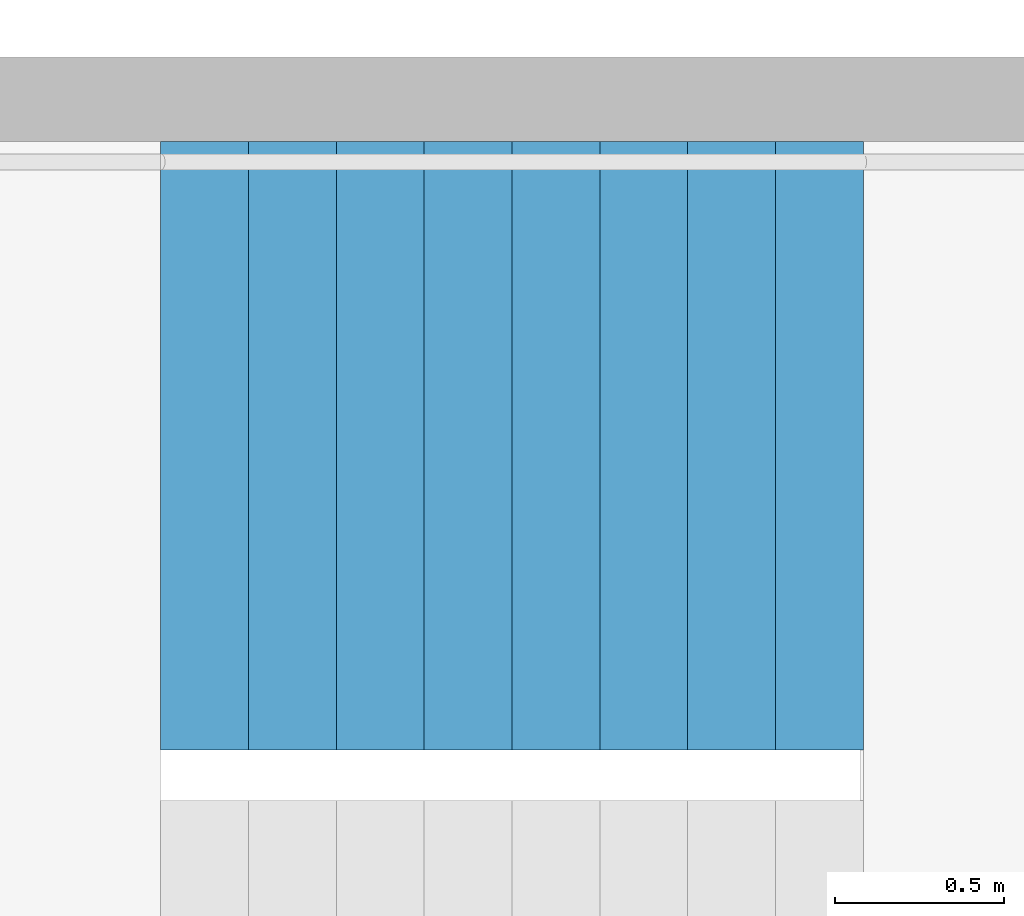
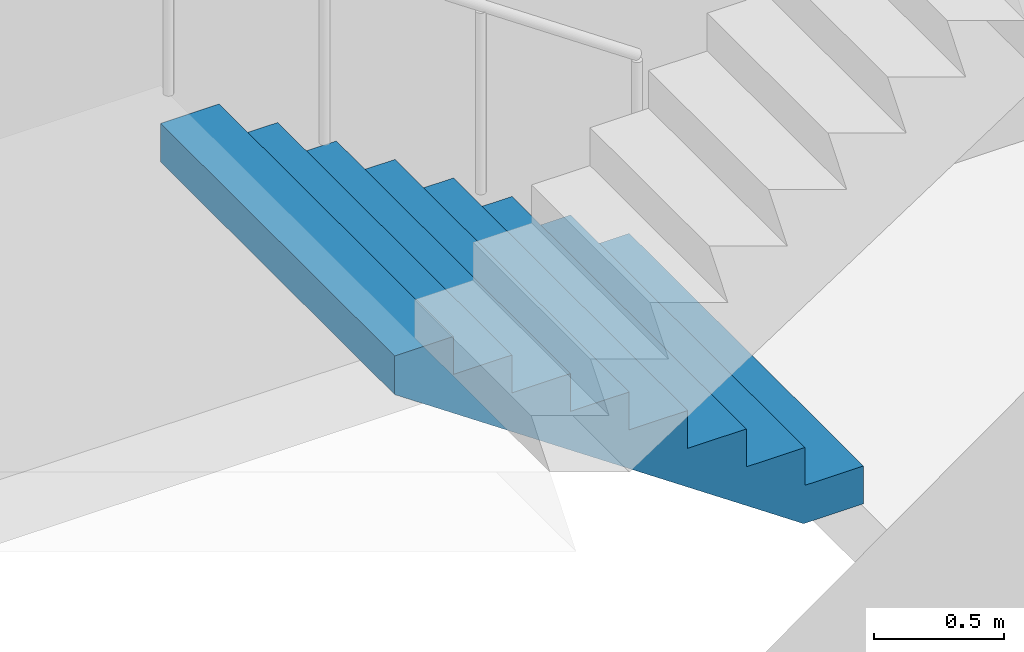
# One storey, part 17 of 41: 1 stair flight, 1 element without a shape of its own.
"""IFC4 building model written with IfcOpenShell, lengths in metres."""

from ifc_helpers import new_model, si_unit, direction, frame, origin, place, context, subcontext, project, spatial, triangles, material, type_object, element, aggregate, save


model = new_model("IFC4")

# Units and contexts
model_context = context("Model", 3, precision=1e-05, world=origin(), true_north=direction((0.0, 1.0)))
body_context = subcontext(model_context, "Body", "Model", "MODEL_VIEW")
ifc_project = project(units=[si_unit("LENGTHUNIT", "METRE"), si_unit("AREAUNIT", "SQUARE_METRE"), si_unit("VOLUMEUNIT", "CUBIC_METRE"), si_unit("PLANEANGLEUNIT", "RADIAN"), si_unit("MASSUNIT", "GRAM", prefix="KILO")], contexts=[model_context])

# Site, building, storey
site_placement = place(None, origin())
site = spatial("IfcSite", under=ifc_project, at=site_placement, CompositionType="ELEMENT")
building_placement = place(site_placement, origin())
building = spatial("IfcBuilding", under=site, at=building_placement, Name="Hakoniwa Tower and Hamabe Station Hall", CompositionType="ELEMENT")
storey_placement = place(building_placement, frame((0.0, 0.0, 180.199951171875)))
storey = spatial("IfcBuildingStorey", under=building, at=storey_placement, Name="L51", CompositionType="ELEMENT", Elevation=180.199951171875)

# Stair, stair flight
ifc_material_1 = material(Name="Concrete C40", Category="concrete")
stair_type = type_object("IfcStairType", Name="ESCAPE STAIR 1800", PredefinedType="HALF_TURN_STAIR", material=ifc_material_1)
stair_placement = place(storey_placement, origin())
stair = element("IfcStair", 1, at=stair_placement, inside=storey, type_object=stair_type, Name="Escape stair ST-2 L51", PredefinedType="HALF_TURN_STAIR")
ifc_material_2 = material(Name="Concrete C40", Category="concrete")
stair_flight_type = type_object("IfcStairFlightType", Name="STAIR FLIGHT 1800", PredefinedType="STRAIGHT", material=ifc_material_2)
stair_flight_placement = place(storey_placement, frame((-23.39990234375, -4.64990234375, 0.0), z_axis=(0.0, 0.0, 1.0), x_axis=(-1.0, 0.0, 0.0)))
stair_flight = element("IfcStairFlight", 2, at=stair_flight_placement, type_object=stair_flight_type, Name="ST-2 flight 1", NumberOfRisers=9, NumberOfTreads=8, PredefinedType="STRAIGHT", RiserHeight=0.177777778, TreadLength=0.26, context=body_context, shape_type="Tessellation", body=[
    triangles([(0.0, 0.89990234375, 0.0), (0.260009765625, 0.89990234375, 0.0), (0.265625, 0.89990234375, 0.0), (0.52001953125, 0.89990234375, 0.174072265625), (0.780029296875, 0.89990234375, 0.351806640625), (1.0400390625, 0.89990234375, 0.529541015625), (1.300048828125, 0.89990234375, 0.707275390625), (1.56005859375, 0.89990234375, 0.885009765625), (1.820068359375, 0.89990234375, 1.062744140625), (2.080078125, 0.89990234375, 1.24072265625), (2.080078125, 0.89990234375, 1.422119140625), (1.820068359375, 0.89990234375, 1.422119140625), (1.820068359375, 0.89990234375, 1.244384765625), (1.56005859375, 0.89990234375, 1.244384765625), (1.56005859375, 0.89990234375, 1.066650390625), (1.300048828125, 0.89990234375, 1.066650390625), (1.300048828125, 0.89990234375, 0.888916015625), (1.0400390625, 0.89990234375, 0.888916015625), (1.0400390625, 0.89990234375, 0.711181640625), (0.780029296875, 0.89990234375, 0.711181640625), (0.780029296875, 0.89990234375, 0.533447265625), (0.52001953125, 0.89990234375, 0.533447265625), (0.52001953125, 0.89990234375, 0.35546875), (0.265625, 0.89990234375, 0.35546875), (0.260009765625, 0.89990234375, 0.35546875), (0.260009765625, 0.89990234375, 0.177734375), (0.0, 0.89990234375, 0.177734375), (0.0, 0.06005859375, 0.0), (0.260009765625, 0.06005859375, 0.0), (0.265625, 0.06005859375, 0.0), (0.52001953125, 0.06005859375, 0.174072265625), (0.780029296875, 0.06005859375, 0.351806640625), (1.0400390625, 0.06005859375, 0.529541015625), (1.300048828125, 0.06005859375, 0.707275390625), (1.56005859375, 0.06005859375, 0.885009765625), (1.820068359375, 0.06005859375, 1.062744140625), (2.080078125, 0.06005859375, 1.24072265625), (2.080078125, 0.06005859375, 1.422119140625), (1.820068359375, 0.06005859375, 1.422119140625), (1.820068359375, 0.06005859375, 1.244384765625), (1.56005859375, 0.06005859375, 1.244384765625), (1.56005859375, 0.06005859375, 1.066650390625), (1.300048828125, 0.06005859375, 1.066650390625), (1.300048828125, 0.06005859375, 0.888916015625), (1.0400390625, 0.06005859375, 0.888916015625), (1.0400390625, 0.06005859375, 0.711181640625), (0.780029296875, 0.06005859375, 0.711181640625), (0.780029296875, 0.06005859375, 0.533447265625), (0.52001953125, 0.06005859375, 0.533447265625), (0.52001953125, 0.06005859375, 0.35546875), (0.265625, 0.06005859375, 0.35546875), (0.260009765625, 0.06005859375, 0.35546875), (0.260009765625, 0.06005859375, 0.177734375), (0.0, 0.06005859375, 0.177734375), (0.0, 0.04296875, 0.0), (0.260009765625, 0.04296875, 0.0), (0.265625, 0.04296875, 0.0), (0.52001953125, 0.04296875, 0.174072265625), (0.780029296875, 0.04296875, 0.351806640625), (1.0400390625, 0.04296875, 0.529541015625), (1.300048828125, 0.04296875, 0.707275390625), (1.56005859375, 0.04296875, 0.885009765625), (1.820068359375, 0.04296875, 1.062744140625), (2.080078125, 0.04296875, 1.24072265625), (2.080078125, 0.04296875, 1.422119140625), (1.820068359375, 0.04296875, 1.422119140625), (1.820068359375, 0.04296875, 1.244384765625), (1.56005859375, 0.04296875, 1.244384765625), (1.56005859375, 0.04296875, 1.066650390625), (1.300048828125, 0.04296875, 1.066650390625), (1.300048828125, 0.04296875, 0.888916015625), (1.0400390625, 0.04296875, 0.888916015625), (1.0400390625, 0.04296875, 0.711181640625), (0.780029296875, 0.04296875, 0.711181640625), (0.780029296875, 0.04296875, 0.533447265625), (0.52001953125, 0.04296875, 0.533447265625), (0.52001953125, 0.04296875, 0.35546875), (0.265625, 0.04296875, 0.35546875), (0.260009765625, 0.04296875, 0.35546875), (0.260009765625, 0.04296875, 0.177734375), (0.0, 0.04296875, 0.177734375), (0.0, 0.025634765625, 0.0), (0.260009765625, 0.025634765625, 0.0), (0.265625, 0.025634765625, 0.0), (0.52001953125, 0.025634765625, 0.174072265625), (0.780029296875, 0.025634765625, 0.351806640625), (1.0400390625, 0.025634765625, 0.529541015625), (1.300048828125, 0.025634765625, 0.707275390625), (1.56005859375, 0.025634765625, 0.885009765625), (1.820068359375, 0.025634765625, 1.062744140625), (2.080078125, 0.025634765625, 1.24072265625), (2.080078125, 0.025634765625, 1.422119140625), (1.820068359375, 0.025634765625, 1.422119140625), (1.820068359375, 0.025634765625, 1.244384765625), (1.56005859375, 0.025634765625, 1.244384765625), (1.56005859375, 0.025634765625, 1.066650390625), (1.300048828125, 0.025634765625, 1.066650390625), (1.300048828125, 0.025634765625, 0.888916015625), (1.0400390625, 0.025634765625, 0.888916015625), (1.0400390625, 0.025634765625, 0.711181640625), (0.780029296875, 0.025634765625, 0.711181640625), (0.780029296875, 0.025634765625, 0.533447265625), (0.52001953125, 0.025634765625, 0.533447265625), (0.52001953125, 0.025634765625, 0.35546875), (0.265625, 0.025634765625, 0.35546875), (0.260009765625, 0.025634765625, 0.35546875), (0.260009765625, 0.025634765625, 0.177734375), (0.0, 0.025634765625, 0.177734375), (0.0, 0.008544921875, 0.0), (0.260009765625, 0.008544921875, 0.0), (0.265625, 0.008544921875, 0.0), (0.52001953125, 0.008544921875, 0.174072265625), (0.780029296875, 0.008544921875, 0.351806640625), (1.0400390625, 0.008544921875, 0.529541015625), (1.300048828125, 0.008544921875, 0.707275390625), (1.56005859375, 0.008544921875, 0.885009765625), (1.820068359375, 0.008544921875, 1.062744140625), (2.080078125, 0.008544921875, 1.24072265625), (2.080078125, 0.008544921875, 1.422119140625), (1.820068359375, 0.008544921875, 1.422119140625), (1.820068359375, 0.008544921875, 1.244384765625), (1.56005859375, 0.008544921875, 1.244384765625), (1.56005859375, 0.008544921875, 1.066650390625), (1.300048828125, 0.008544921875, 1.066650390625), (1.300048828125, 0.008544921875, 0.888916015625), (1.0400390625, 0.008544921875, 0.888916015625), (1.0400390625, 0.008544921875, 0.711181640625), (0.780029296875, 0.008544921875, 0.711181640625), (0.780029296875, 0.008544921875, 0.533447265625), (0.52001953125, 0.008544921875, 0.533447265625), (0.52001953125, 0.008544921875, 0.35546875), (0.265625, 0.008544921875, 0.35546875), (0.260009765625, 0.008544921875, 0.35546875), (0.260009765625, 0.008544921875, 0.177734375), (0.0, 0.008544921875, 0.177734375), (0.0, -0.008544921875, 0.0), (0.260009765625, -0.008544921875, 0.0), (0.265625, -0.008544921875, 0.0), (0.52001953125, -0.008544921875, 0.174072265625), (0.780029296875, -0.008544921875, 0.351806640625), (1.0400390625, -0.008544921875, 0.529541015625), (1.300048828125, -0.008544921875, 0.707275390625), (1.56005859375, -0.008544921875, 0.885009765625), (1.820068359375, -0.008544921875, 1.062744140625), (2.080078125, -0.008544921875, 1.24072265625), (2.080078125, -0.008544921875, 1.422119140625), (1.820068359375, -0.008544921875, 1.422119140625), (1.820068359375, -0.008544921875, 1.244384765625), (1.56005859375, -0.008544921875, 1.244384765625), (1.56005859375, -0.008544921875, 1.066650390625), (1.300048828125, -0.008544921875, 1.066650390625), (1.300048828125, -0.008544921875, 0.888916015625), (1.0400390625, -0.008544921875, 0.888916015625), (1.0400390625, -0.008544921875, 0.711181640625), (0.780029296875, -0.008544921875, 0.711181640625), (0.780029296875, -0.008544921875, 0.533447265625), (0.52001953125, -0.008544921875, 0.533447265625), (0.52001953125, -0.008544921875, 0.35546875), (0.265625, -0.008544921875, 0.35546875), (0.260009765625, -0.008544921875, 0.35546875), (0.260009765625, -0.008544921875, 0.177734375), (0.0, -0.008544921875, 0.177734375), (0.0, -0.025634765625, 0.0), (0.260009765625, -0.025634765625, 0.0), (0.265625, -0.025634765625, 0.0), (0.52001953125, -0.025634765625, 0.174072265625), (0.780029296875, -0.025634765625, 0.351806640625), (1.0400390625, -0.025634765625, 0.529541015625), (1.300048828125, -0.025634765625, 0.707275390625), (1.56005859375, -0.025634765625, 0.885009765625), (1.820068359375, -0.025634765625, 1.062744140625), (2.080078125, -0.025634765625, 1.24072265625), (2.080078125, -0.025634765625, 1.422119140625), (1.820068359375, -0.025634765625, 1.422119140625), (1.820068359375, -0.025634765625, 1.244384765625), (1.56005859375, -0.025634765625, 1.244384765625), (1.56005859375, -0.025634765625, 1.066650390625), (1.300048828125, -0.025634765625, 1.066650390625), (1.300048828125, -0.025634765625, 0.888916015625), (1.0400390625, -0.025634765625, 0.888916015625), (1.0400390625, -0.025634765625, 0.711181640625), (0.780029296875, -0.025634765625, 0.711181640625), (0.780029296875, -0.025634765625, 0.533447265625), (0.52001953125, -0.025634765625, 0.533447265625), (0.52001953125, -0.025634765625, 0.35546875), (0.265625, -0.025634765625, 0.35546875), (0.260009765625, -0.025634765625, 0.35546875), (0.260009765625, -0.025634765625, 0.177734375), (0.0, -0.025634765625, 0.177734375), (0.0, -0.04296875, 0.0), (0.260009765625, -0.04296875, 0.0), (0.265625, -0.04296875, 0.0), (0.52001953125, -0.04296875, 0.174072265625), (0.780029296875, -0.04296875, 0.351806640625), (1.0400390625, -0.04296875, 0.529541015625), (1.300048828125, -0.04296875, 0.707275390625), (1.56005859375, -0.04296875, 0.885009765625), (1.820068359375, -0.04296875, 1.062744140625), (2.080078125, -0.04296875, 1.24072265625), (2.080078125, -0.04296875, 1.422119140625), (1.820068359375, -0.04296875, 1.422119140625), (1.820068359375, -0.04296875, 1.244384765625), (1.56005859375, -0.04296875, 1.244384765625), (1.56005859375, -0.04296875, 1.066650390625), (1.300048828125, -0.04296875, 1.066650390625), (1.300048828125, -0.04296875, 0.888916015625), (1.0400390625, -0.04296875, 0.888916015625), (1.0400390625, -0.04296875, 0.711181640625), (0.780029296875, -0.04296875, 0.711181640625), (0.780029296875, -0.04296875, 0.533447265625), (0.52001953125, -0.04296875, 0.533447265625), (0.52001953125, -0.04296875, 0.35546875), (0.265625, -0.04296875, 0.35546875), (0.260009765625, -0.04296875, 0.35546875), (0.260009765625, -0.04296875, 0.177734375), (0.0, -0.04296875, 0.177734375), (0.0, -0.06005859375, 0.0), (0.260009765625, -0.06005859375, 0.0), (0.265625, -0.06005859375, 0.0), (0.52001953125, -0.06005859375, 0.174072265625), (0.780029296875, -0.06005859375, 0.351806640625), (1.0400390625, -0.06005859375, 0.529541015625), (1.300048828125, -0.06005859375, 0.707275390625), (1.56005859375, -0.06005859375, 0.885009765625), (1.820068359375, -0.06005859375, 1.062744140625), (2.080078125, -0.06005859375, 1.24072265625), (2.080078125, -0.06005859375, 1.422119140625), (1.820068359375, -0.06005859375, 1.422119140625), (1.820068359375, -0.06005859375, 1.244384765625), (1.56005859375, -0.06005859375, 1.244384765625), (1.56005859375, -0.06005859375, 1.066650390625), (1.300048828125, -0.06005859375, 1.066650390625), (1.300048828125, -0.06005859375, 0.888916015625), (1.0400390625, -0.06005859375, 0.888916015625), (1.0400390625, -0.06005859375, 0.711181640625), (0.780029296875, -0.06005859375, 0.711181640625), (0.780029296875, -0.06005859375, 0.533447265625), (0.52001953125, -0.06005859375, 0.533447265625), (0.52001953125, -0.06005859375, 0.35546875), (0.265625, -0.06005859375, 0.35546875), (0.260009765625, -0.06005859375, 0.35546875), (0.260009765625, -0.06005859375, 0.177734375), (0.0, -0.06005859375, 0.177734375), (0.0, -0.89990234375, 0.0), (0.260009765625, -0.89990234375, 0.0), (0.265625, -0.89990234375, 0.0), (0.52001953125, -0.89990234375, 0.174072265625), (0.780029296875, -0.89990234375, 0.351806640625), (1.0400390625, -0.89990234375, 0.529541015625), (1.300048828125, -0.89990234375, 0.707275390625), (1.56005859375, -0.89990234375, 0.885009765625), (1.820068359375, -0.89990234375, 1.062744140625), (2.080078125, -0.89990234375, 1.24072265625), (2.080078125, -0.89990234375, 1.422119140625), (1.820068359375, -0.89990234375, 1.422119140625), (1.820068359375, -0.89990234375, 1.244384765625), (1.56005859375, -0.89990234375, 1.244384765625), (1.56005859375, -0.89990234375, 1.066650390625), (1.300048828125, -0.89990234375, 1.066650390625), (1.300048828125, -0.89990234375, 0.888916015625), (1.0400390625, -0.89990234375, 0.888916015625), (1.0400390625, -0.89990234375, 0.711181640625), (0.780029296875, -0.89990234375, 0.711181640625), (0.780029296875, -0.89990234375, 0.533447265625), (0.52001953125, -0.89990234375, 0.533447265625), (0.52001953125, -0.89990234375, 0.35546875), (0.265625, -0.89990234375, 0.35546875), (0.260009765625, -0.89990234375, 0.35546875), (0.260009765625, -0.89990234375, 0.177734375), (0.0, -0.89990234375, 0.177734375)], [[2, 27, 26], [245, 269, 270], [2, 1, 27], [245, 270, 244], [3, 25, 24], [246, 267, 268], [3, 26, 25], [246, 268, 269], [3, 2, 26], [246, 269, 245], [4, 24, 23], [247, 266, 267], [4, 3, 24], [247, 267, 246], [5, 22, 21], [248, 264, 265], [5, 23, 22], [248, 265, 266], [5, 4, 23], [248, 266, 247], [6, 20, 19], [249, 262, 263], [6, 21, 20], [249, 263, 264], [6, 5, 21], [249, 264, 248], [7, 18, 17], [250, 260, 261], [7, 19, 18], [250, 261, 262], [7, 6, 19], [250, 262, 249], [8, 16, 15], [251, 258, 259], [8, 17, 16], [251, 259, 260], [8, 7, 17], [251, 260, 250], [9, 14, 13], [252, 256, 257], [9, 15, 14], [252, 257, 258], [9, 8, 15], [252, 258, 251], [10, 12, 11], [253, 254, 255], [10, 13, 12], [253, 255, 256], [10, 9, 13], [253, 256, 252], [1, 2, 29], [1, 29, 28], [28, 29, 56], [28, 56, 55], [55, 56, 83], [55, 83, 82], [82, 83, 110], [82, 110, 109], [109, 110, 137], [109, 137, 136], [136, 137, 164], [136, 164, 163], [163, 164, 191], [163, 191, 190], [190, 191, 218], [190, 218, 217], [217, 218, 245], [217, 245, 244], [2, 3, 30], [2, 30, 29], [29, 30, 57], [29, 57, 56], [56, 57, 84], [56, 84, 83], [83, 84, 111], [83, 111, 110], [110, 111, 138], [110, 138, 137], [137, 138, 165], [137, 165, 164], [164, 165, 192], [164, 192, 191], [191, 192, 219], [191, 219, 218], [218, 219, 246], [218, 246, 245], [3, 4, 31], [3, 31, 30], [30, 31, 58], [30, 58, 57], [57, 58, 85], [57, 85, 84], [84, 85, 112], [84, 112, 111], [111, 112, 139], [111, 139, 138], [138, 139, 166], [138, 166, 165], [165, 166, 193], [165, 193, 192], [192, 193, 220], [192, 220, 219], [219, 220, 247], [219, 247, 246], [4, 5, 32], [4, 32, 31], [31, 32, 59], [31, 59, 58], [58, 59, 86], [58, 86, 85], [85, 86, 113], [85, 113, 112], [112, 113, 140], [112, 140, 139], [139, 140, 167], [139, 167, 166], [166, 167, 194], [166, 194, 193], [193, 194, 221], [193, 221, 220], [220, 221, 248], [220, 248, 247], [5, 6, 33], [5, 33, 32], [32, 33, 60], [32, 60, 59], [59, 60, 87], [59, 87, 86], [86, 87, 114], [86, 114, 113], [113, 114, 141], [113, 141, 140], [140, 141, 168], [140, 168, 167], [167, 168, 195], [167, 195, 194], [194, 195, 222], [194, 222, 221], [221, 222, 249], [221, 249, 248], [6, 7, 34], [6, 34, 33], [33, 34, 61], [33, 61, 60], [60, 61, 88], [60, 88, 87], [87, 88, 115], [87, 115, 114], [114, 115, 142], [114, 142, 141], [141, 142, 169], [141, 169, 168], [168, 169, 196], [168, 196, 195], [195, 196, 223], [195, 223, 222], [222, 223, 250], [222, 250, 249], [7, 8, 35], [7, 35, 34], [34, 35, 62], [34, 62, 61], [61, 62, 89], [61, 89, 88], [88, 89, 116], [88, 116, 115], [115, 116, 143], [115, 143, 142], [142, 143, 170], [142, 170, 169], [169, 170, 197], [169, 197, 196], [196, 197, 224], [196, 224, 223], [223, 224, 251], [223, 251, 250], [8, 9, 36], [8, 36, 35], [35, 36, 63], [35, 63, 62], [62, 63, 90], [62, 90, 89], [89, 90, 117], [89, 117, 116], [116, 117, 144], [116, 144, 143], [143, 144, 171], [143, 171, 170], [170, 171, 198], [170, 198, 197], [197, 198, 225], [197, 225, 224], [224, 225, 252], [224, 252, 251], [9, 10, 37], [9, 37, 36], [36, 37, 64], [36, 64, 63], [63, 64, 91], [63, 91, 90], [90, 91, 118], [90, 118, 117], [117, 118, 145], [117, 145, 144], [144, 145, 172], [144, 172, 171], [171, 172, 199], [171, 199, 198], [198, 199, 226], [198, 226, 225], [225, 226, 253], [225, 253, 252], [10, 11, 38], [10, 38, 37], [37, 38, 65], [37, 65, 64], [64, 65, 92], [64, 92, 91], [91, 92, 119], [91, 119, 118], [118, 119, 146], [118, 146, 145], [145, 146, 173], [145, 173, 172], [172, 173, 200], [172, 200, 199], [199, 200, 227], [199, 227, 226], [226, 227, 254], [226, 254, 253], [11, 12, 39], [11, 39, 38], [38, 39, 66], [38, 66, 65], [65, 66, 93], [65, 93, 92], [92, 93, 120], [92, 120, 119], [119, 120, 147], [119, 147, 146], [146, 147, 174], [146, 174, 173], [173, 174, 201], [173, 201, 200], [200, 201, 228], [200, 228, 227], [227, 228, 255], [227, 255, 254], [12, 13, 40], [12, 40, 39], [39, 40, 67], [39, 67, 66], [66, 67, 94], [66, 94, 93], [93, 94, 121], [93, 121, 120], [120, 121, 148], [120, 148, 147], [147, 148, 175], [147, 175, 174], [174, 175, 202], [174, 202, 201], [201, 202, 229], [201, 229, 228], [228, 229, 256], [228, 256, 255], [13, 14, 41], [13, 41, 40], [40, 41, 68], [40, 68, 67], [67, 68, 95], [67, 95, 94], [94, 95, 122], [94, 122, 121], [121, 122, 149], [121, 149, 148], [148, 149, 176], [148, 176, 175], [175, 176, 203], [175, 203, 202], [202, 203, 230], [202, 230, 229], [229, 230, 257], [229, 257, 256], [14, 15, 42], [14, 42, 41], [41, 42, 69], [41, 69, 68], [68, 69, 96], [68, 96, 95], [95, 96, 123], [95, 123, 122], [122, 123, 150], [122, 150, 149], [149, 150, 177], [149, 177, 176], [176, 177, 204], [176, 204, 203], [203, 204, 231], [203, 231, 230], [230, 231, 258], [230, 258, 257], [15, 16, 43], [15, 43, 42], [42, 43, 70], [42, 70, 69], [69, 70, 97], [69, 97, 96], [96, 97, 124], [96, 124, 123], [123, 124, 151], [123, 151, 150], [150, 151, 178], [150, 178, 177], [177, 178, 205], [177, 205, 204], [204, 205, 232], [204, 232, 231], [231, 232, 259], [231, 259, 258], [16, 17, 44], [16, 44, 43], [43, 44, 71], [43, 71, 70], [70, 71, 98], [70, 98, 97], [97, 98, 125], [97, 125, 124], [124, 125, 152], [124, 152, 151], [151, 152, 179], [151, 179, 178], [178, 179, 206], [178, 206, 205], [205, 206, 233], [205, 233, 232], [232, 233, 260], [232, 260, 259], [17, 18, 45], [17, 45, 44], [44, 45, 72], [44, 72, 71], [71, 72, 99], [71, 99, 98], [98, 99, 126], [98, 126, 125], [125, 126, 153], [125, 153, 152], [152, 153, 180], [152, 180, 179], [179, 180, 207], [179, 207, 206], [206, 207, 234], [206, 234, 233], [233, 234, 261], [233, 261, 260], [18, 19, 46], [18, 46, 45], [45, 46, 73], [45, 73, 72], [72, 73, 100], [72, 100, 99], [99, 100, 127], [99, 127, 126], [126, 127, 154], [126, 154, 153], [153, 154, 181], [153, 181, 180], [180, 181, 208], [180, 208, 207], [207, 208, 235], [207, 235, 234], [234, 235, 262], [234, 262, 261], [19, 20, 47], [19, 47, 46], [46, 47, 74], [46, 74, 73], [73, 74, 101], [73, 101, 100], [100, 101, 128], [100, 128, 127], [127, 128, 155], [127, 155, 154], [154, 155, 182], [154, 182, 181], [181, 182, 209], [181, 209, 208], [208, 209, 236], [208, 236, 235], [235, 236, 263], [235, 263, 262], [20, 21, 48], [20, 48, 47], [47, 48, 75], [47, 75, 74], [74, 75, 102], [74, 102, 101], [101, 102, 129], [101, 129, 128], [128, 129, 156], [128, 156, 155], [155, 156, 183], [155, 183, 182], [182, 183, 210], [182, 210, 209], [209, 210, 237], [209, 237, 236], [236, 237, 264], [236, 264, 263], [21, 22, 49], [21, 49, 48], [48, 49, 76], [48, 76, 75], [75, 76, 103], [75, 103, 102], [102, 103, 130], [102, 130, 129], [129, 130, 157], [129, 157, 156], [156, 157, 184], [156, 184, 183], [183, 184, 211], [183, 211, 210], [210, 211, 238], [210, 238, 237], [237, 238, 265], [237, 265, 264], [22, 23, 50], [22, 50, 49], [49, 50, 77], [49, 77, 76], [76, 77, 104], [76, 104, 103], [103, 104, 131], [103, 131, 130], [130, 131, 158], [130, 158, 157], [157, 158, 185], [157, 185, 184], [184, 185, 212], [184, 212, 211], [211, 212, 239], [211, 239, 238], [238, 239, 266], [238, 266, 265], [23, 24, 51], [23, 51, 50], [50, 51, 78], [50, 78, 77], [77, 78, 105], [77, 105, 104], [104, 105, 132], [104, 132, 131], [131, 132, 159], [131, 159, 158], [158, 159, 186], [158, 186, 185], [185, 186, 213], [185, 213, 212], [212, 213, 240], [212, 240, 239], [239, 240, 267], [239, 267, 266], [24, 25, 52], [24, 52, 51], [51, 52, 79], [51, 79, 78], [78, 79, 106], [78, 106, 105], [105, 106, 133], [105, 133, 132], [132, 133, 160], [132, 160, 159], [159, 160, 187], [159, 187, 186], [186, 187, 214], [186, 214, 213], [213, 214, 241], [213, 241, 240], [240, 241, 268], [240, 268, 267], [25, 26, 53], [25, 53, 52], [52, 53, 80], [52, 80, 79], [79, 80, 107], [79, 107, 106], [106, 107, 134], [106, 134, 133], [133, 134, 161], [133, 161, 160], [160, 161, 188], [160, 188, 187], [187, 188, 215], [187, 215, 214], [214, 215, 242], [214, 242, 241], [241, 242, 269], [241, 269, 268], [26, 27, 54], [26, 54, 53], [53, 54, 81], [53, 81, 80], [80, 81, 108], [80, 108, 107], [107, 108, 135], [107, 135, 134], [134, 135, 162], [134, 162, 161], [161, 162, 189], [161, 189, 188], [188, 189, 216], [188, 216, 215], [215, 216, 243], [215, 243, 242], [242, 243, 270], [242, 270, 269], [27, 1, 28], [27, 28, 54], [54, 28, 55], [54, 55, 81], [81, 55, 82], [81, 82, 108], [108, 82, 109], [108, 109, 135], [135, 109, 136], [135, 136, 162], [162, 136, 163], [162, 163, 189], [189, 163, 190], [189, 190, 216], [216, 190, 217], [216, 217, 243], [243, 217, 244], [243, 244, 270]], closed=True),
])
aggregate(stair, [stair_flight])

save(model, "model.ifc")
